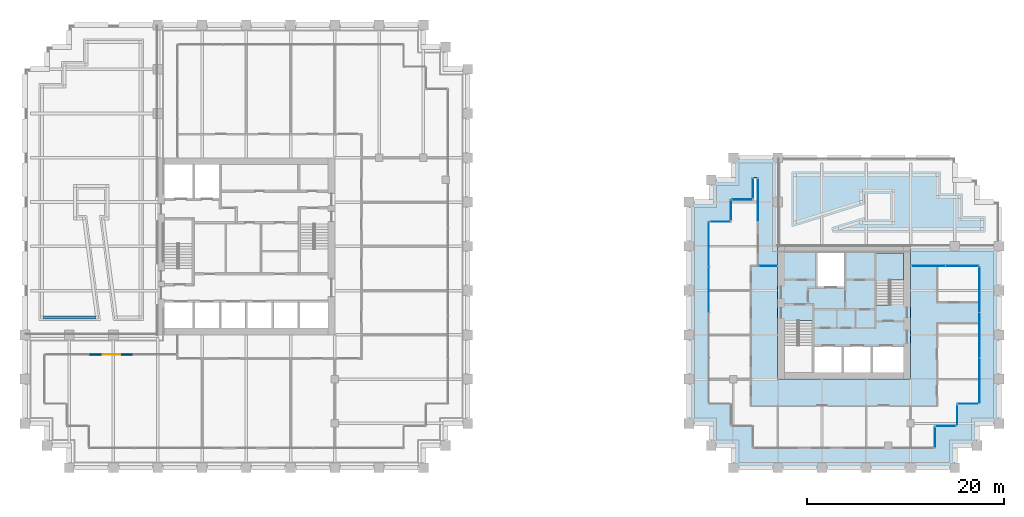
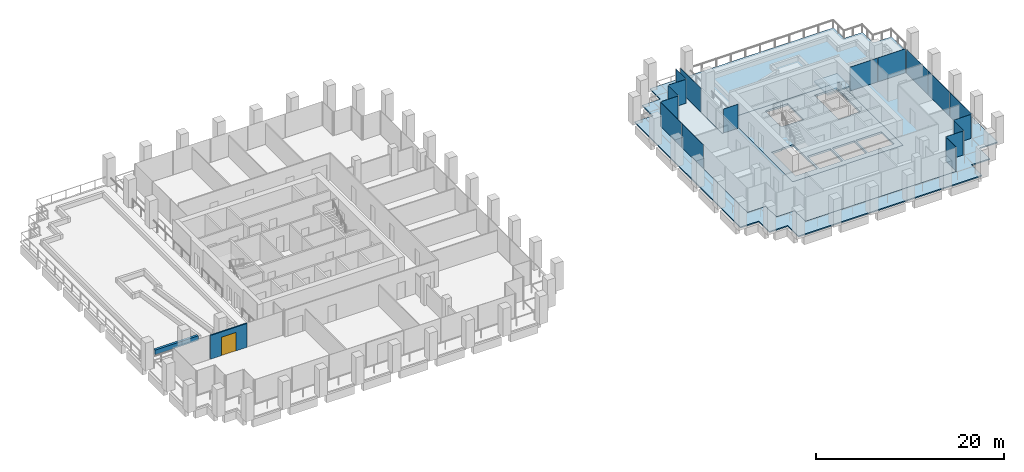
# One storey, part 44 of 52: 17 plates, 4 slabs, 2 walls, 1 door, 1 opening, 14 elements without a shape of their own.
"""IFC4 building model written with IfcOpenShell, lengths in metres."""

from ifc_helpers import new_model, si_unit, direction, frame, frame_2d, origin, origin_2d, place, context, subcontext, project, spatial, polyline, rectangle, outline, extrude, material, layer, layer_set, type_object, element, fill, aggregate, save


model = new_model("IFC4")

# Units and contexts
model_context = context("Model", 3, precision=1e-05, world=origin(), true_north=direction((0.0, 1.0)))
body_context = subcontext(model_context, "Body", "Model", "MODEL_VIEW")
ifc_project = project(units=[si_unit("LENGTHUNIT", "METRE"), si_unit("AREAUNIT", "SQUARE_METRE"), si_unit("VOLUMEUNIT", "CUBIC_METRE"), si_unit("PLANEANGLEUNIT", "RADIAN"), si_unit("MASSUNIT", "GRAM", prefix="KILO")], contexts=[model_context])

# Site, building, storey
site_placement = place(None, origin())
site = spatial("IfcSite", under=ifc_project, at=site_placement, CompositionType="ELEMENT")
building_placement = place(site_placement, origin())
building = spatial("IfcBuilding", under=site, at=building_placement, Name="Altepetl Exchange Towers", CompositionType="ELEMENT")
storey_placement = place(building_placement, frame((0.0, 0.0, 92.0)))
storey = spatial("IfcBuildingStorey", under=building, at=storey_placement, Name="L22", CompositionType="ELEMENT", Elevation=92.0)

# Slabs
ifc_material_1 = material(Name="Concrete C40/50", Category="concrete")
ifc_layer_1 = layer(ifc_material_1, 0.14990234375)
ifc_layer_set_1 = layer_set([ifc_layer_1], Name="Concrete C40/50")
slab_type_1 = type_object("IfcSlabType", Name="Composite floor slab 150", PredefinedType="FLOOR", material=ifc_layer_set_1)
slab_1_placement = place(storey_placement, frame((0.0, 0.0, -0.14990234375)))
element("IfcSlab", 1, at=slab_1_placement, inside=storey, type_object=slab_type_1, Name="slab:B:L22:strip0", PredefinedType="FLOOR", context=body_context, shape_type="SweptSolid", body=[
    extrude(outline(polyline([(98.75, 54.25), (98.75, 52.0), (96.5, 52.0), (96.5, 33.5), (98.75, 33.5), (98.75, 31.25), (101.0, 31.25), (101.0, 29.0), (119.5, 29.0), (119.5, 31.25), (121.75, 31.25), (121.75, 33.5), (124.0, 33.5), (124.0, 47.5), (117.0, 47.5), (117.0, 36.0), (103.5, 36.0), (103.5, 47.5), (101.5, 47.5), (101.5, 56.5), (101.0, 56.5), (101.0, 54.25), (98.75, 54.25)])), origin(), (0.0, 0.0, 1.0), 0.14990234375),
])
ifc_layer_2 = layer(ifc_material_1, 0.25)
ifc_layer_set_2 = layer_set([ifc_layer_2], Name="Concrete C40/50")
slab_type_2 = type_object("IfcSlabType", Name="Core floor slab 250", PredefinedType="FLOOR", material=ifc_layer_set_2)
slab_2_placement = place(storey_placement, frame((0.0, 0.0, -0.25)))
element("IfcSlab", 2, at=slab_2_placement, inside=storey, type_object=slab_type_2, Name="slab:B:L22:core0", PredefinedType="FLOOR", context=body_context, shape_type="SweptSolid", body=[
    extrude(outline(polyline([(103.5, 36.0), (117.0, 36.0), (117.0, 49.5), (103.5, 49.5), (103.5, 36.0)]), holes=[polyline([(107.199951171875, 36.699951171875), (107.199951171875, 39.300048828125), (110.032958984375, 39.300048828125), (110.032958984375, 36.699951171875), (107.199951171875, 36.699951171875)]), polyline([(110.23291015625, 39.300048828125), (112.967041015625, 39.300048828125), (112.967041015625, 36.699951171875), (110.23291015625, 36.699951171875), (110.23291015625, 39.300048828125)]), polyline([(113.1669921875, 39.300048828125), (116.300048828125, 39.300048828125), (116.300048828125, 36.699951171875), (113.1669921875, 36.699951171875), (113.1669921875, 39.300048828125)]), polyline([(107.0, 36.800048828125), (104.300048828125, 36.800048828125), (104.300048828125, 41.85009765625), (105.550048828125, 41.85009765625), (105.550048828125, 41.948974609375), (107.0, 41.948974609375), (107.0, 36.800048828125)]), polyline([(116.199951171875, 48.699951171875), (116.199951171875, 43.64990234375), (114.949951171875, 43.64990234375), (114.949951171875, 43.551025390625), (113.5, 43.551025390625), (113.5, 48.699951171875), (116.199951171875, 48.699951171875)]), polyline([(107.532958984375, 48.800048828125), (110.26708984375, 48.800048828125), (110.26708984375, 45.39990234375), (107.532958984375, 45.39990234375), (107.532958984375, 48.800048828125)])]), origin(), (0.0, 0.0, 1.0), 0.25),
])

# Curtain wall, plate
ifc_material_2 = material(Name="Aluminium 6063-T6 glazing", Category="aluminium")
curtain_wall_type = type_object("IfcCurtainWallType", Name="Loggia glazing system", PredefinedType="NOTDEFINED", material=ifc_material_2)
curtain_wall_1_placement = place(storey_placement, origin())
curtain_wall_1 = element("IfcCurtainWall", 3, at=curtain_wall_1_placement, inside=storey, type_object=curtain_wall_type, Name="CW1 run", PredefinedType="NOTDEFINED")
ifc_material_3 = material(Name="Glass 6-16-6 low emissivity", Category="glass")
ifc_layer_3 = layer(ifc_material_3, 0.028076171875)
ifc_layer_set_3 = layer_set([ifc_layer_3], Name="Glass 6-16-6 low emissivity")
plate_type = type_object("IfcPlateType", Name="Glass panel 28 double glazed", PredefinedType="CURTAIN_PANEL", material=ifc_layer_set_3)
plate_1_placement = place(storey_placement, frame((97.66259765625, 52.0, 0.0), z_axis=(0.0, 0.0, 1.0), x_axis=(-1.0, 0.0, 0.0)))
plate_1 = element("IfcPlate", 4, at=plate_1_placement, type_object=plate_type, Name="GP1 panel", PredefinedType="CURTAIN_PANEL", context=body_context, shape_type="SweptSolid", body=[
    extrude(rectangle(XDim=2.054931640625, YDim=0.028076171875, at=origin_2d()), origin(), (0.0, 0.0, 1.0), 3.10009765625),
])
aggregate(curtain_wall_1, [plate_1])

# Curtain wall, plates
curtain_wall_2_placement = place(storey_placement, origin())
curtain_wall_2 = element("IfcCurtainWall", 5, at=curtain_wall_2_placement, inside=storey, type_object=curtain_wall_type, Name="CW1 run", PredefinedType="NOTDEFINED")
plate_2_placement = place(storey_placement, frame((96.5, 49.681884765625, 0.0), z_axis=(0.0, 0.0, 1.0), x_axis=(0.0, -1.0, 0.0)))
plate_2 = element("IfcPlate", 6, at=plate_2_placement, type_object=plate_type, Name="GP1 panel", PredefinedType="CURTAIN_PANEL", context=body_context, shape_type="SweptSolid", body=[
    extrude(rectangle(XDim=4.516357421875, YDim=0.028076171875, at=origin_2d()), origin(), (0.0, 0.0, 1.0), 3.10009765625),
])
plate_3_placement = place(storey_placement, frame((96.5, 45.090576171875, 0.0), z_axis=(0.0, 0.0, 1.0), x_axis=(0.0, -1.0, 0.0)))
plate_3 = element("IfcPlate", 7, at=plate_3_placement, type_object=plate_type, Name="GP1 panel", PredefinedType="CURTAIN_PANEL", context=body_context, shape_type="SweptSolid", body=[
    extrude(rectangle(XDim=4.546142578125, YDim=0.028076171875, at=origin_2d()), origin(), (0.0, 0.0, 1.0), 3.10009765625),
])
aggregate(curtain_wall_2, [plate_2, plate_3])

# Curtain wall, plate
curtain_wall_3_placement = place(storey_placement, origin())
curtain_wall_3 = element("IfcCurtainWall", 8, at=curtain_wall_3_placement, inside=storey, type_object=curtain_wall_type, Name="CW1 run", PredefinedType="NOTDEFINED")
plate_4_placement = place(storey_placement, frame((119.5, 30.08740234375, 0.0), z_axis=(0.0, 0.0, 1.0), x_axis=(0.0, 1.0, 0.0)))
plate_4 = element("IfcPlate", 9, at=plate_4_placement, type_object=plate_type, Name="GP1 panel", PredefinedType="CURTAIN_PANEL", context=body_context, shape_type="SweptSolid", body=[
    extrude(rectangle(XDim=2.054931640625, YDim=0.028076171875, at=origin_2d()), origin(), (0.0, 0.0, 1.0), 3.10009765625),
])
aggregate(curtain_wall_3, [plate_4])

curtain_wall_4_placement = place(storey_placement, origin())
curtain_wall_4 = element("IfcCurtainWall", 10, at=curtain_wall_4_placement, inside=storey, type_object=curtain_wall_type, Name="CW1 run", PredefinedType="NOTDEFINED")
plate_5_placement = place(storey_placement, frame((120.58740234375, 31.25, 0.0)))
plate_5 = element("IfcPlate", 11, at=plate_5_placement, type_object=plate_type, Name="GP1 panel", PredefinedType="CURTAIN_PANEL", context=body_context, shape_type="SweptSolid", body=[
    extrude(rectangle(XDim=2.054931640625, YDim=0.028076171875, at=origin_2d()), origin(), (0.0, 0.0, 1.0), 3.10009765625),
])
aggregate(curtain_wall_4, [plate_5])

curtain_wall_5_placement = place(storey_placement, origin())
curtain_wall_5 = element("IfcCurtainWall", 12, at=curtain_wall_5_placement, inside=storey, type_object=curtain_wall_type, Name="CW1 run", PredefinedType="NOTDEFINED")
plate_6_placement = place(storey_placement, frame((121.75, 32.33740234375, 0.0), z_axis=(0.0, 0.0, 1.0), x_axis=(0.0, 1.0, 0.0)))
plate_6 = element("IfcPlate", 13, at=plate_6_placement, type_object=plate_type, Name="GP1 panel", PredefinedType="CURTAIN_PANEL", context=body_context, shape_type="SweptSolid", body=[
    extrude(rectangle(XDim=2.054931640625, YDim=0.028076171875, at=origin_2d()), origin(), (0.0, 0.0, 1.0), 3.10009765625),
])
aggregate(curtain_wall_5, [plate_6])

curtain_wall_6_placement = place(storey_placement, origin())
curtain_wall_6 = element("IfcCurtainWall", 14, at=curtain_wall_6_placement, inside=storey, type_object=curtain_wall_type, Name="CW1 run", PredefinedType="NOTDEFINED")
plate_7_placement = place(storey_placement, frame((122.83740234375, 33.5, 0.0)))
plate_7 = element("IfcPlate", 15, at=plate_7_placement, type_object=plate_type, Name="GP1 panel", PredefinedType="CURTAIN_PANEL", context=body_context, shape_type="SweptSolid", body=[
    extrude(rectangle(XDim=2.054931640625, YDim=0.028076171875, at=origin_2d()), origin(), (0.0, 0.0, 1.0), 3.10009765625),
])
aggregate(curtain_wall_6, [plate_7])

# Curtain wall, plates
curtain_wall_7_placement = place(storey_placement, origin())
curtain_wall_7 = element("IfcCurtainWall", 16, at=curtain_wall_7_placement, inside=storey, type_object=curtain_wall_type, Name="CW1 run", PredefinedType="NOTDEFINED")
plate_8_placement = place(storey_placement, frame((124.0, 35.8359375, 0.0), z_axis=(0.0, 0.0, 1.0), x_axis=(0.0, 1.0, 0.0)))
plate_8 = element("IfcPlate", 17, at=plate_8_placement, type_object=plate_type, Name="GP1 panel", PredefinedType="CURTAIN_PANEL", context=body_context, shape_type="SweptSolid", body=[
    extrude(rectangle(XDim=4.5517578125, YDim=0.028076171875, at=origin_2d()), origin(), (0.0, 0.0, 1.0), 3.10009765625),
])
plate_9_placement = place(storey_placement, frame((124.0, 40.46240234375, 0.0), z_axis=(0.0, 0.0, 1.0), x_axis=(0.0, 1.0, 0.0)))
plate_9 = element("IfcPlate", 18, at=plate_9_placement, type_object=plate_type, Name="GP1 panel", PredefinedType="CURTAIN_PANEL", context=body_context, shape_type="SweptSolid", body=[
    extrude(rectangle(XDim=4.581787109375, YDim=0.028076171875, at=origin_2d()), origin(), (0.0, 0.0, 1.0), 3.10009765625),
])
plate_10_placement = place(storey_placement, frame((124.0, 45.089111328125, 0.0), z_axis=(0.0, 0.0, 1.0), x_axis=(0.0, 1.0, 0.0)))
plate_10 = element("IfcPlate", 19, at=plate_10_placement, type_object=plate_type, Name="GP1 panel", PredefinedType="CURTAIN_PANEL", context=body_context, shape_type="SweptSolid", body=[
    extrude(rectangle(XDim=4.5517578125, YDim=0.028076171875, at=origin_2d()), origin(), (0.0, 0.0, 1.0), 3.10009765625),
])
aggregate(curtain_wall_7, [plate_8, plate_9, plate_10])

curtain_wall_8_placement = place(storey_placement, origin())
curtain_wall_8 = element("IfcCurtainWall", 20, at=curtain_wall_8_placement, inside=storey, type_object=curtain_wall_type, Name="CW1 run", PredefinedType="NOTDEFINED")
plate_11_placement = place(storey_placement, frame((122.253662109375, 47.5, 0.0), z_axis=(0.0, 0.0, 1.0), x_axis=(-1.0, 0.0, 0.0)))
plate_11 = element("IfcPlate", 21, at=plate_11_placement, type_object=plate_type, Name="GP1 panel", PredefinedType="CURTAIN_PANEL", context=body_context, shape_type="SweptSolid", body=[
    extrude(rectangle(XDim=3.37255859375, YDim=0.028076171875, at=origin_2d()), origin(), (0.0, 0.0, 1.0), 3.10009765625),
])
plate_12_placement = place(storey_placement, frame((118.8212890625, 47.5, 0.0), z_axis=(0.0, 0.0, 1.0), x_axis=(-1.0, 0.0, 0.0)))
plate_12 = element("IfcPlate", 22, at=plate_12_placement, type_object=plate_type, Name="GP1 panel", PredefinedType="CURTAIN_PANEL", context=body_context, shape_type="SweptSolid", body=[
    extrude(rectangle(XDim=3.37255859375, YDim=0.028076171875, at=origin_2d()), origin(), (0.0, 0.0, 1.0), 3.10009765625),
])
aggregate(curtain_wall_8, [plate_11, plate_12])

# Curtain wall, plate
curtain_wall_9_placement = place(storey_placement, origin())
curtain_wall_9 = element("IfcCurtainWall", 23, at=curtain_wall_9_placement, inside=storey, type_object=curtain_wall_type, Name="CW1 run", PredefinedType="NOTDEFINED")
plate_13_placement = place(storey_placement, frame((102.53759765625, 47.5, 0.0), z_axis=(0.0, 0.0, 1.0), x_axis=(-1.0, 0.0, 0.0)))
plate_13 = element("IfcPlate", 24, at=plate_13_placement, type_object=plate_type, Name="GP1 panel", PredefinedType="CURTAIN_PANEL", context=body_context, shape_type="SweptSolid", body=[
    extrude(rectangle(XDim=1.804931640625, YDim=0.028076171875, at=origin_2d()), origin(), (0.0, 0.0, 1.0), 3.10009765625),
])
aggregate(curtain_wall_9, [plate_13])

curtain_wall_10_placement = place(storey_placement, origin())
curtain_wall_10 = element("IfcCurtainWall", 25, at=curtain_wall_10_placement, inside=storey, type_object=curtain_wall_type, Name="CW1 run", PredefinedType="NOTDEFINED")
plate_14_placement = place(storey_placement, frame((101.5, 54.19384765625, 0.0), z_axis=(0.0, 0.0, 1.0), x_axis=(0.0, 1.0, 0.0)))
plate_14 = element("IfcPlate", 26, at=plate_14_placement, type_object=plate_type, Name="GP1 panel", PredefinedType="CURTAIN_PANEL", context=body_context, shape_type="SweptSolid", body=[
    extrude(rectangle(XDim=4.342529296875, YDim=0.028076171875, at=origin_2d()), origin(), (0.0, 0.0, 1.0), 3.10009765625),
])
aggregate(curtain_wall_10, [plate_14])

curtain_wall_11_placement = place(storey_placement, origin())
curtain_wall_11 = element("IfcCurtainWall", 27, at=curtain_wall_11_placement, inside=storey, type_object=curtain_wall_type, Name="CW1 run", PredefinedType="NOTDEFINED")
plate_15_placement = place(storey_placement, frame((101.0, 55.41259765625, 0.0), z_axis=(0.0, 0.0, 1.0), x_axis=(0.0, -1.0, 0.0)))
plate_15 = element("IfcPlate", 28, at=plate_15_placement, type_object=plate_type, Name="GP1 panel", PredefinedType="CURTAIN_PANEL", context=body_context, shape_type="SweptSolid", body=[
    extrude(rectangle(XDim=2.054931640625, YDim=0.028076171875, at=origin_2d()), origin(), (0.0, 0.0, 1.0), 3.10009765625),
])
aggregate(curtain_wall_11, [plate_15])

curtain_wall_12_placement = place(storey_placement, origin())
curtain_wall_12 = element("IfcCurtainWall", 29, at=curtain_wall_12_placement, inside=storey, type_object=curtain_wall_type, Name="CW1 run", PredefinedType="NOTDEFINED")
plate_16_placement = place(storey_placement, frame((99.91259765625, 54.25, 0.0), z_axis=(0.0, 0.0, 1.0), x_axis=(-1.0, 0.0, 0.0)))
plate_16 = element("IfcPlate", 30, at=plate_16_placement, type_object=plate_type, Name="GP1 panel", PredefinedType="CURTAIN_PANEL", context=body_context, shape_type="SweptSolid", body=[
    extrude(rectangle(XDim=2.054931640625, YDim=0.028076171875, at=origin_2d()), origin(), (0.0, 0.0, 1.0), 3.10009765625),
])
aggregate(curtain_wall_12, [plate_16])

curtain_wall_13_placement = place(storey_placement, origin())
curtain_wall_13 = element("IfcCurtainWall", 31, at=curtain_wall_13_placement, inside=storey, type_object=curtain_wall_type, Name="CW1 run", PredefinedType="NOTDEFINED")
plate_17_placement = place(storey_placement, frame((98.75, 53.16259765625, 0.0), z_axis=(0.0, 0.0, 1.0), x_axis=(0.0, -1.0, 0.0)))
plate_17 = element("IfcPlate", 32, at=plate_17_placement, type_object=plate_type, Name="GP1 panel", PredefinedType="CURTAIN_PANEL", context=body_context, shape_type="SweptSolid", body=[
    extrude(rectangle(XDim=2.054931640625, YDim=0.028076171875, at=origin_2d()), origin(), (0.0, 0.0, 1.0), 3.10009765625),
])
aggregate(curtain_wall_13, [plate_17])

# Slab
ifc_layer_4 = layer(ifc_material_1, 0.14990234375)
ifc_layer_set_4 = layer_set([ifc_layer_4], Name="Concrete C40/50")
slab_type_3 = type_object("IfcSlabType", Name="Green roof slab 150", PredefinedType="ROOF", material=ifc_layer_set_4)
slab_3_placement = place(storey_placement, frame((0.0, 0.0, -0.14990234375)))
element("IfcSlab", 33, at=slab_3_placement, inside=storey, type_object=slab_type_3, Name="slab:B:L22:terrace0", PredefinedType="ROOF", context=body_context, shape_type="SweptSolid", body=[
    extrude(outline(polyline([(96.75, 56.25), (96.75, 54.0), (94.5, 54.0), (94.5, 36.0), (94.5, 31.5), (96.75, 31.5), (96.75, 29.25), (99.0, 29.25), (99.0, 27.0), (117.0, 27.0), (121.5, 27.0), (121.5, 29.25), (123.75, 29.25), (123.75, 31.5), (126.0, 31.5), (126.0, 49.5), (126.0, 54.0), (123.75, 54.0), (123.75, 56.25), (121.5, 56.25), (121.5, 58.5), (103.5, 58.5), (99.0, 58.5), (99.0, 56.25), (96.75, 56.25)]), holes=[polyline([(96.5, 33.5), (96.5, 52.0), (98.75, 52.0), (98.75, 54.25), (101.0, 54.25), (101.0, 56.5), (101.5, 56.5), (101.5, 47.5), (103.5, 47.5), (103.5, 49.5), (117.0, 49.5), (117.0, 47.5), (124.0, 47.5), (124.0, 33.5), (121.75, 33.5), (121.75, 31.25), (119.5, 31.25), (119.5, 29.0), (101.0, 29.0), (101.0, 31.25), (98.75, 31.25), (98.75, 33.5), (96.5, 33.5)])]), origin(), (0.0, 0.0, 1.0), 0.14990234375),
])

# Stair, slab
stair_type = type_object("IfcStairType", Name="Exit stair 1350 flights dogleg", PredefinedType="HALF_TURN_STAIR", material=ifc_material_1)
stair_placement = place(storey_placement, origin())
stair = element("IfcStair", 34, at=stair_placement, inside=storey, type_object=stair_type, Name="Exit stair 2", PredefinedType="HALF_TURN_STAIR")
ifc_layer_5 = layer(ifc_material_1, 0.199951171875)
ifc_layer_set_5 = layer_set([ifc_layer_5], Name="Concrete C40/50")
slab_type_4 = type_object("IfcSlabType", Name="Stair landing 200 reinforced concrete", PredefinedType="LANDING", material=ifc_layer_set_5)
slab_4_placement = place(storey_placement, frame((0.0, 0.0, 1.60009765625)))
slab_4 = element("IfcSlab", 35, at=slab_4_placement, type_object=slab_type_4, Name="ST-B2d landing 1", PredefinedType="LANDING", context=body_context, shape_type="SweptSolid", body=[
    extrude(outline(polyline([(114.85009765625, 45.969970703125), (113.5, 45.969970703125), (113.5, 46.070068359375), (113.5, 48.800048828125), (116.300048828125, 48.800048828125), (116.300048828125, 46.070068359375), (116.300048828125, 46.0693359375), (114.949951171875, 46.0693359375), (114.949951171875, 46.070068359375), (114.85009765625, 46.070068359375), (114.85009765625, 45.969970703125)])), origin(), (0.0, 0.0, 1.0), 0.199951171875),
])
aggregate(stair, [slab_4])

# Wall, opening, door
ifc_material_4 = material(Name="Aluminium composite cladding", Category="aluminium")
ifc_layer_6 = layer(ifc_material_4, 0.14990234375)
ifc_layer_set_6 = layer_set([ifc_layer_6], Name="Aluminium composite cladding")
wall_type_1 = type_object("IfcWallType", Name="Infill wall 150 aluminium panel", PredefinedType="SOLIDWALL", material=ifc_layer_set_6)
wall_1_placement = place(storey_placement, frame((38.02490234375, 38.5, 0.0), z_axis=(0.0, 0.0, 1.0), x_axis=(-1.0, 0.0, 0.0)))
wall_1 = element("IfcWall", 36, at=wall_1_placement, inside=storey, type_object=wall_type_1, Name="Terrace door bay wall", PredefinedType="SOLIDWALL", context=body_context, shape_type="SweptSolid", body=[
    extrude(rectangle(XDim=4.474853515625, YDim=0.14990234375, at=frame_2d((2.2373046875, 0.0))), origin(), (0.0, 0.0, 1.0), 3.10009765625),
])
opening_placement = place(wall_1_placement, frame((1.33740234375, 0.0, 0.0)))
opening = element("IfcOpeningElement", 37, at=opening_placement, cuts=wall_1, Name="Opening L22.A92", PredefinedType="OPENING", context=body_context, shape_type="SweptSolid", body=[
    extrude(rectangle(XDim=1.800048828125, YDim=2.39990234375, at=frame_2d((0.89990234375, 1.199951171875))), frame((0.0, 0.0849609375, 0.0), z_axis=(0.0, -1.0, 0.0), x_axis=(1.0, 0.0, 0.0)), (0.0, 0.0, 1.0), 0.169921875),
])
ifc_material_5 = material(Name="Aluminium 6063-T6 and glass", Category="aluminium")
door_type = type_object("IfcDoorType", Name="Glazed door pair 1800x2400", OperationType="DOUBLE_DOOR_DOUBLE_SWING", PredefinedType="NOTDEFINED", material=ifc_material_5)
door_placement = place(opening_placement, frame((1.800048828125, 0.0, 0.0), x_axis=(-1.0, 0.0, 0.0)))
door = element("IfcDoor", 38, at=door_placement, inside=storey, type_object=door_type, Name="Terrace door", OperationType="DOUBLE_DOOR_DOUBLE_SWING", OverallHeight=2.39990234375, OverallWidth=1.800048828125, PredefinedType="NOTDEFINED", context=body_context, shape_type="SweptSolid", body=[
    extrude(rectangle(XDim=1.800048828125, YDim=2.39990234375, at=frame_2d((0.89990234375, 1.199951171875))), frame((0.0, 0.02490234375, 0.0), z_axis=(0.0, -1.0, 0.0), x_axis=(1.0, 0.0, 0.0)), (0.0, 0.0, 1.0), 0.050048828125),
])
fill(opening, door)

# Wall
ifc_material_6 = material(Name="Concrete C30/37", Category="concrete")
ifc_layer_7 = layer(ifc_material_6, 0.300048828125)
ifc_layer_set_7 = layer_set([ifc_layer_7], Name="Concrete C30/37")
wall_type_2 = type_object("IfcWallType", Name="Planter wall 300 concrete", PredefinedType="SOLIDWALL", material=ifc_layer_set_7)
wall_2_placement = place(storey_placement, frame((28.89990234375, 42.25, 0.0)))
element("IfcWall", 39, at=wall_2_placement, inside=storey, type_object=wall_type_2, Name="Planter bed wall", PredefinedType="SOLIDWALL", context=body_context, shape_type="SweptSolid", body=[
    extrude(rectangle(XDim=5.286376953125, YDim=0.300048828125, at=frame_2d((2.64306640625, 0.0))), origin(), (0.0, 0.0, 1.0), 0.60009765625),
])

save(model, "model.ifc")
